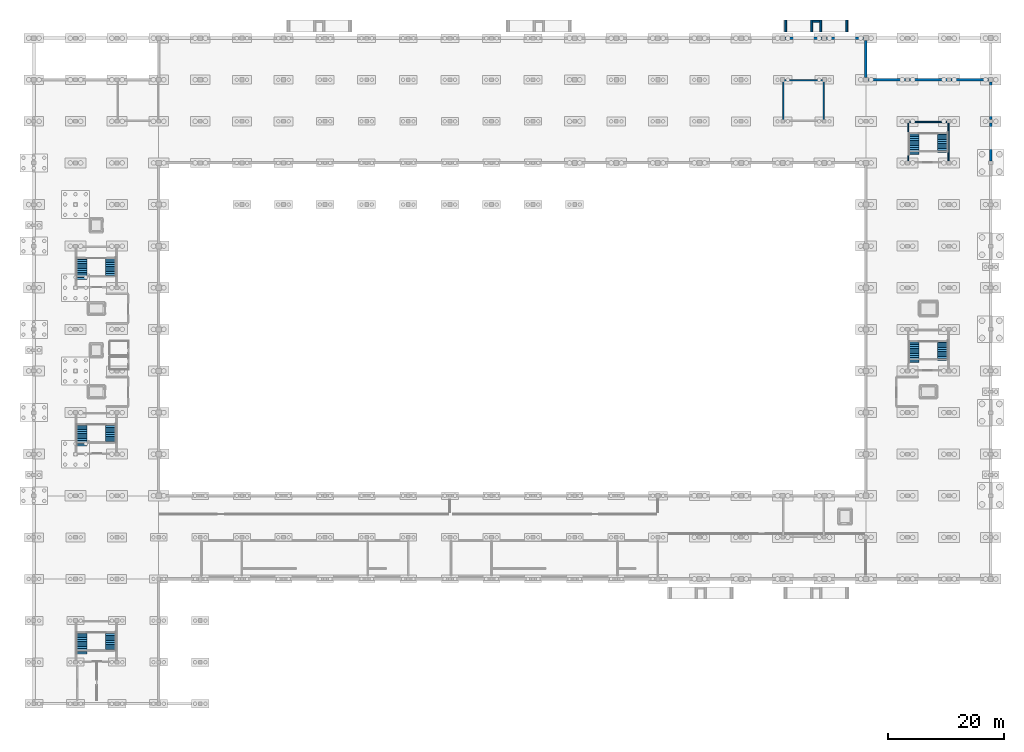
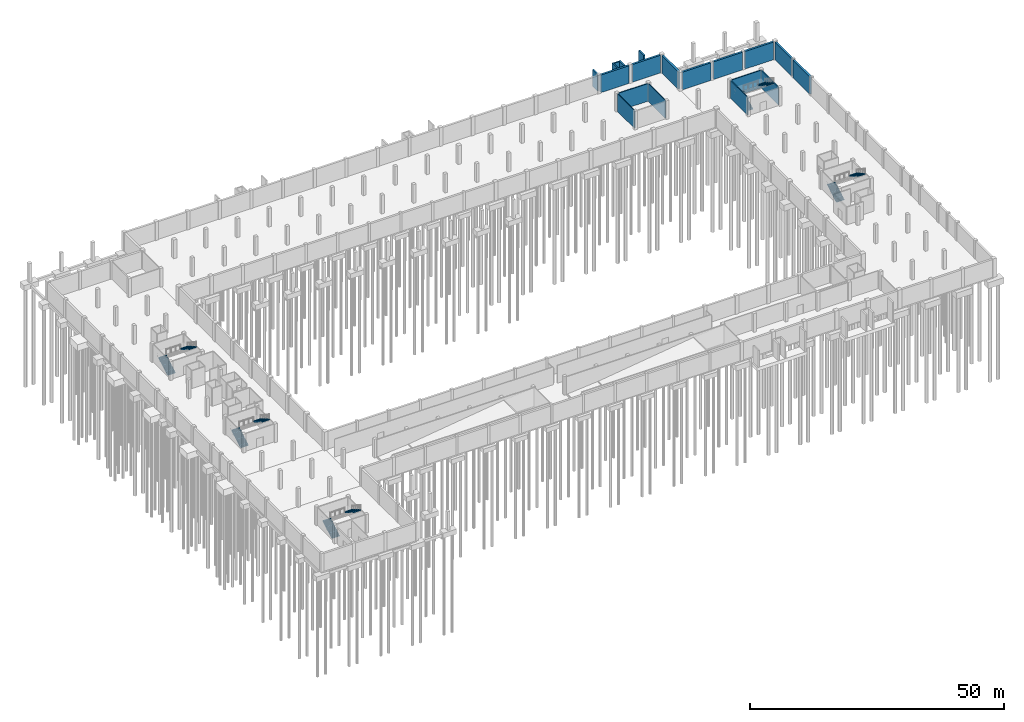
# One storey, part 15 of 18: 19 walls, 10 stair flights, 5 elements without a shape of their own.
"""IFC4 building model written with IfcOpenShell, lengths in metres."""

from ifc_helpers import new_model, si_unit, direction, frame, frame_2d, origin, place, context, subcontext, project, spatial, polyline, rectangle, outline, extrude, material, layer, layer_set, type_object, element, aggregate, save


model = new_model("IFC4")

# Units and contexts
model_context = context("Model", 3, precision=1e-05, world=origin(), true_north=direction((0.0, 1.0)))
body_context = subcontext(model_context, "Body", "Model", "MODEL_VIEW")
ifc_project = project(units=[si_unit("LENGTHUNIT", "METRE"), si_unit("AREAUNIT", "SQUARE_METRE"), si_unit("VOLUMEUNIT", "CUBIC_METRE"), si_unit("PLANEANGLEUNIT", "RADIAN"), si_unit("MASSUNIT", "GRAM", prefix="KILO")], contexts=[model_context])

# Site, building, storey
site_placement = place(None, origin())
site = spatial("IfcSite", under=ifc_project, at=site_placement, CompositionType="ELEMENT")
building_placement = place(site_placement, origin())
building = spatial("IfcBuilding", under=site, at=building_placement, Name="Kangsadwip Square Police Headquarters", CompositionType="ELEMENT")
storey_placement = place(building_placement, frame((0.0, 0.0, -4.5)))
storey = spatial("IfcBuildingStorey", under=building, at=storey_placement, Name="B1", CompositionType="ELEMENT", Elevation=-4.5)

# Walls
ifc_material_1 = material(Name="Concrete M40 (40 MPa)", Category="concrete")
ifc_layer_1 = layer(ifc_material_1, 0.449951171875)
ifc_layer_set_1 = layer_set([ifc_layer_1], Name="Concrete M40 (40 MPa)")
wall_type_1 = type_object("IfcWallType", Name="BasementRetainingWall450", PredefinedType="USERDEFINED", material=ifc_layer_set_1)
wall_1_placement = place(storey_placement, frame((144.419921875, 108.0, 0.0), z_axis=(0.0, 0.0, 1.0), x_axis=(1.0, 0.0, 0.0)))
element("IfcWall", 1, at=wall_1_placement, inside=storey, type_object=wall_type_1, Name="Exterior Wall WE-B1-061", ObjectType="RETAININGWALL", PredefinedType="USERDEFINED", context=body_context, shape_type="SweptSolid", body=[
    extrude(rectangle(XDim=6.4599609375, YDim=0.449951171875, at=frame_2d((3.22998046875, 0.0))), origin(), (0.0, 0.0, 1.0), 4.25),
])
wall_2_placement = place(storey_placement, frame((151.52001953125, 108.0, 0.0), z_axis=(0.0, 0.0, 1.0), x_axis=(1.0, 0.0, 0.0)))
element("IfcWall", 2, at=wall_2_placement, inside=storey, type_object=wall_type_1, Name="Exterior Wall WE-B1-062", ObjectType="RETAININGWALL", PredefinedType="USERDEFINED", context=body_context, shape_type="SweptSolid", body=[
    extrude(rectangle(XDim=6.56005859375, YDim=0.449951171875, at=frame_2d((3.280029296875, 0.0))), origin(), (0.0, 0.0, 1.0), 4.25),
])
wall_3_placement = place(storey_placement, frame((158.719970703125, 108.0, 0.0), z_axis=(0.0, 0.0, 1.0), x_axis=(1.0, 0.0, 0.0)))
element("IfcWall", 3, at=wall_3_placement, inside=storey, type_object=wall_type_1, Name="Exterior Wall WE-B1-063", ObjectType="RETAININGWALL", PredefinedType="USERDEFINED", context=body_context, shape_type="SweptSolid", body=[
    extrude(rectangle(XDim=6.4599609375, YDim=0.449951171875, at=frame_2d((3.22998046875, 0.0))), origin(), (0.0, 0.0, 1.0), 4.25),
])
wall_4_placement = place(storey_placement, frame((129.9951171875, 115.199951171875, 0.0), z_axis=(0.0, 0.0, 1.0), x_axis=(1.0, 0.0, 0.0)))
element("IfcWall", 4, at=wall_4_placement, inside=storey, type_object=wall_type_1, Name="Exterior Wall WE-B1-079", ObjectType="RETAININGWALL", PredefinedType="USERDEFINED", context=body_context, shape_type="SweptSolid", body=[
    extrude(rectangle(XDim=6.409912109375, YDim=0.449951171875, at=frame_2d((3.205078125, 0.0))), origin(), (0.0, 0.0, 1.0), 4.25),
])
wall_5_placement = place(storey_placement, frame((137.195068359375, 115.199951171875, 0.0), z_axis=(0.0, 0.0, 1.0), x_axis=(1.0, 0.0, 0.0)))
element("IfcWall", 5, at=wall_5_placement, inside=storey, type_object=wall_type_1, Name="Exterior Wall WE-B1-080", ObjectType="RETAININGWALL", PredefinedType="USERDEFINED", context=body_context, shape_type="SweptSolid", body=[
    extrude(rectangle(XDim=6.385009765625, YDim=0.449951171875, at=frame_2d((3.1923828125, 0.0))), origin(), (0.0, 0.0, 1.0), 4.25),
])
wall_6_placement = place(storey_placement, frame((144.0, 108.419921875, 0.0), z_axis=(0.0, 0.0, 1.0), x_axis=(0.0, 1.0, 0.0)))
element("IfcWall", 6, at=wall_6_placement, inside=storey, type_object=wall_type_1, Name="Exterior Wall WE-B1-116", ObjectType="RETAININGWALL", PredefinedType="USERDEFINED", context=body_context, shape_type="SweptSolid", body=[
    extrude(rectangle(XDim=6.360107421875, YDim=0.449951171875, at=frame_2d((3.18017578125, 0.0))), origin(), (0.0, 0.0, 1.0), 4.25),
])
wall_7_placement = place(storey_placement, frame((165.60009765625, 93.89501953125, 0.0), z_axis=(0.0, 0.0, 1.0), x_axis=(0.0, 1.0, 0.0)))
element("IfcWall", 7, at=wall_7_placement, inside=storey, type_object=wall_type_1, Name="Exterior Wall WE-B1-127", ObjectType="RETAININGWALL", PredefinedType="USERDEFINED", context=body_context, shape_type="SweptSolid", body=[
    extrude(rectangle(XDim=6.5849609375, YDim=0.449951171875, at=frame_2d((3.29248046875, 0.0))), origin(), (0.0, 0.0, 1.0), 4.25),
])
wall_8_placement = place(storey_placement, frame((165.60009765625, 101.1201171875, 0.0), z_axis=(0.0, 0.0, 1.0), x_axis=(0.0, 1.0, 0.0)))
element("IfcWall", 8, at=wall_8_placement, inside=storey, type_object=wall_type_1, Name="Exterior Wall WE-B1-128", ObjectType="RETAININGWALL", PredefinedType="USERDEFINED", context=body_context, shape_type="SweptSolid", body=[
    extrude(rectangle(XDim=6.4599609375, YDim=0.449951171875, at=frame_2d((3.22998046875, 0.0))), origin(), (0.0, 0.0, 1.0), 4.25),
])
ifc_material_2 = material(Name="Concrete M40 (40 MPa)", Category="concrete")
ifc_layer_2 = layer(ifc_material_2, 0.199951171875)
ifc_layer_set_2 = layer_set([ifc_layer_2], Name="Concrete M40 (40 MPa)")
wall_type_2 = type_object("IfcWallType", Name="CoreShearWall200", PredefinedType="SHEAR", material=ifc_layer_set_2)
for number, where, z_axis, x_axis, name in (
    (9, (151.39990234375, 100.699951171875, 0.0), (0.0, 0.0, 1.0), (1.0, 0.0, 0.0), "Interior Wall WI-B1-0126"),
    (10, (151.300048828125, 93.800048828125, 0.0), (0.0, 0.0, 1.0), (0.0, 1.0, 0.0), "Interior Wall WI-B1-0127"),
    (11, (158.300048828125, 93.800048828125, 0.0), (0.0, 0.0, 1.0), (0.0, 1.0, 0.0), "Interior Wall WI-B1-0128"),
    (12, (129.800048828125, 107.89990234375, 0.0), (0.0, 0.0, 1.0), (1.0, 0.0, 0.0), "Interior Wall WI-B1-0154"),
    (13, (129.699951171875, 101.0, 0.0), (0.0, 0.0, 1.0), (0.0, 1.0, 0.0), "Interior Wall WI-B1-0155"),
    (14, (136.699951171875, 101.0, 0.0), (0.0, 0.0, 1.0), (0.0, 1.0, 0.0), "Interior Wall WI-B1-0156"),
):
    element("IfcWall", number, at=place(storey_placement, frame(where, z_axis=z_axis, x_axis=x_axis)), inside=storey, type_object=wall_type_2, Name=name, PredefinedType="SHEAR", context=body_context, shape_type="SweptSolid", body=[
        extrude(rectangle(XDim=6.800048828125, YDim=0.199951171875, at=frame_2d((3.39990234375, 0.0))), origin(), (0.0, 0.0, 1.0), 4.25),
    ])
ifc_material_3 = material(Name="Concrete M35 (35 MPa)", Category="concrete")
ifc_layer_3 = layer(ifc_material_3, 0.300048828125)
ifc_layer_set_3 = layer_set([ifc_layer_3], Name="Concrete M35 (35 MPa)")
wall_type_3 = type_object("IfcWallType", Name="RampSupportWall300", PredefinedType="SHEAR", material=ifc_layer_set_3)
wall_9_placement = place(storey_placement, frame((130.1201171875, 116.300048828125, -0.449951171875), z_axis=(0.0, 0.0, 1.0), x_axis=(0.0, 1.0, 0.0)))
element("IfcWall", 15, at=wall_9_placement, inside=storey, type_object=wall_type_3, Name="Accessible Ramp Support Wall WR-AR-05-1", PredefinedType="SHEAR", context=body_context, shape_type="SweptSolid", body=[
    extrude(rectangle(XDim=2.0, YDim=0.300048828125, at=frame_2d((1.0, 0.0))), origin(), (0.0, 0.0, 1.0), 4.030029296875),
])
for number, where, z_axis, x_axis, name in (
    (16, (134.6201171875, 116.300048828125, -0.449951171875), (0.0, 0.0, 1.0), (0.0, 1.0, 0.0), "Accessible Ramp Support Wall WR-AR-05-2"),
    (17, (136.179931640625, 116.300048828125, -0.449951171875), (0.0, 0.0, 1.0), (0.0, 1.0, 0.0), "Accessible Ramp Support Wall WR-AR-05-3"),
):
    element("IfcWall", number, at=place(storey_placement, frame(where, z_axis=z_axis, x_axis=x_axis)), inside=storey, type_object=wall_type_3, Name=name, PredefinedType="SHEAR", context=body_context, shape_type="SweptSolid", body=[
        extrude(rectangle(XDim=2.0, YDim=0.300048828125, at=frame_2d((1.0, 0.0))), origin(), (0.0, 0.0, 1.0), 4.050048828125),
    ])
wall_10_placement = place(storey_placement, frame((134.800048828125, 118.1201171875, -0.449951171875), z_axis=(0.0, 0.0, 1.0), x_axis=(1.0, 0.0, 0.0)))
element("IfcWall", 18, at=wall_10_placement, inside=storey, type_object=wall_type_3, Name="Accessible Ramp Support Wall WR-AR-05-4", PredefinedType="SHEAR", context=body_context, shape_type="SweptSolid", body=[
    extrude(rectangle(XDim=1.199951171875, YDim=0.300048828125, at=frame_2d((0.60009765625, 0.0))), origin(), (0.0, 0.0, 1.0), 4.050048828125),
])
wall_11_placement = place(storey_placement, frame((140.679931640625, 116.300048828125, -0.449951171875), z_axis=(0.0, 0.0, 1.0), x_axis=(0.0, 1.0, 0.0)))
element("IfcWall", 19, at=wall_11_placement, inside=storey, type_object=wall_type_3, Name="Accessible Ramp Support Wall WR-AR-05-5", PredefinedType="SHEAR", context=body_context, shape_type="SweptSolid", body=[
    extrude(rectangle(XDim=2.0, YDim=0.300048828125, at=frame_2d((1.0, 0.0))), origin(), (0.0, 0.0, 1.0), 4.929931640625),
])

# Stair, stair flight
ifc_material_4 = material(Name="Concrete M35 (35 MPa)", Category="concrete")
stair_type = type_object("IfcStairType", Name="Stair2FlightB1W1800", PredefinedType="HALF_TURN_STAIR", material=ifc_material_4)
stair_1_placement = place(storey_placement, origin())
stair_1 = element("IfcStair", 20, at=stair_1_placement, inside=storey, type_object=stair_type, Name="Protected Stair ST-01 B1", PredefinedType="HALF_TURN_STAIR")
ifc_material_5 = material(Name="Concrete M35 (35 MPa)", Category="concrete")
stair_flight_type_1 = type_object("IfcStairFlightType", Name="Flight12RB1W1800", PredefinedType="STRAIGHT", material=ifc_material_5)
stair_flight_1_placement = place(storey_placement, frame((13.320068359375, 48.4599609375, 2.340087890625), z_axis=(0.0, 0.0, 1.0), x_axis=(0.0, -1.0, 0.0)))
stair_flight_1 = element("IfcStairFlight", 21, at=stair_flight_1_placement, type_object=stair_flight_type_1, Name="ST-01 flight 2", NumberOfRisers=12, NumberOfTreads=11, PredefinedType="STRAIGHT", RiserHeight=0.18, TreadLength=0.31, context=body_context, shape_type="SweptSolid", body=[
    extrude(outline(polyline([(0.0, 0.0), (0.0, 0.179931640625), (0.31005859375, 0.179931640625), (0.31005859375, 0.360107421875), (0.6201171875, 0.360107421875), (0.6201171875, 0.5400390625), (0.929931640625, 0.5400390625), (0.929931640625, 0.719970703125), (1.239990234375, 0.719970703125), (1.239990234375, 0.89990234375), (1.550048828125, 0.89990234375), (1.550048828125, 1.080078125), (1.860107421875, 1.080078125), (1.860107421875, 1.260009765625), (2.169921875, 1.260009765625), (2.169921875, 1.43994140625), (2.47998046875, 1.43994140625), (2.47998046875, 1.6201171875), (2.7900390625, 1.6201171875), (2.7900390625, 1.800048828125), (3.10009765625, 1.800048828125), (3.10009765625, 1.97998046875), (3.409912109375, 1.97998046875), (3.409912109375, 2.159912109375), (3.409912109375, 1.795166015625), (0.318359375, 0.0), (0.0, 0.0)])), frame((0.0, 0.89990234375, 0.0), z_axis=(0.0, -1.0, 0.0), x_axis=(1.0, 0.0, 0.0)), (0.0, 0.0, 1.0), 1.800048828125),
])

stair_2_placement = place(storey_placement, origin())
stair_2 = element("IfcStair", 22, at=stair_2_placement, inside=storey, type_object=stair_type, Name="Protected Stair ST-02 B1", PredefinedType="HALF_TURN_STAIR")
stair_flight_2_placement = place(storey_placement, frame((13.320068359375, 77.260009765625, 2.340087890625), z_axis=(0.0, 0.0, 1.0), x_axis=(0.0, -1.0, 0.0)))
stair_flight_2 = element("IfcStairFlight", 23, at=stair_flight_2_placement, type_object=stair_flight_type_1, Name="ST-02 flight 2", NumberOfRisers=12, NumberOfTreads=11, PredefinedType="STRAIGHT", RiserHeight=0.18, TreadLength=0.31, context=body_context, shape_type="SweptSolid", body=[
    extrude(outline(polyline([(0.0, 0.0), (0.0, 0.179931640625), (0.31005859375, 0.179931640625), (0.31005859375, 0.360107421875), (0.6201171875, 0.360107421875), (0.6201171875, 0.5400390625), (0.929931640625, 0.5400390625), (0.929931640625, 0.719970703125), (1.239990234375, 0.719970703125), (1.239990234375, 0.89990234375), (1.550048828125, 0.89990234375), (1.550048828125, 1.080078125), (1.860107421875, 1.080078125), (1.860107421875, 1.260009765625), (2.169921875, 1.260009765625), (2.169921875, 1.43994140625), (2.47998046875, 1.43994140625), (2.47998046875, 1.6201171875), (2.7900390625, 1.6201171875), (2.7900390625, 1.800048828125), (3.10009765625, 1.800048828125), (3.10009765625, 1.97998046875), (3.409912109375, 1.97998046875), (3.409912109375, 2.159912109375), (3.409912109375, 1.795166015625), (0.318359375, 0.0), (0.0, 0.0)])), frame((0.0, 0.89990234375, 0.0), z_axis=(0.0, -1.0, 0.0), x_axis=(1.0, 0.0, 0.0)), (0.0, 0.0, 1.0), 1.800048828125),
])

stair_3_placement = place(storey_placement, origin())
stair_3 = element("IfcStair", 24, at=stair_3_placement, inside=storey, type_object=stair_type, Name="Protected Stair ST-03 B1", PredefinedType="HALF_TURN_STAIR")
stair_flight_3_placement = place(storey_placement, frame((157.320068359375, 62.860107421875, 2.340087890625), z_axis=(0.0, 0.0, 1.0), x_axis=(0.0, -1.0, 0.0)))
stair_flight_3 = element("IfcStairFlight", 25, at=stair_flight_3_placement, type_object=stair_flight_type_1, Name="ST-03 flight 2", NumberOfRisers=12, NumberOfTreads=11, PredefinedType="STRAIGHT", RiserHeight=0.18, TreadLength=0.31, context=body_context, shape_type="SweptSolid", body=[
    extrude(outline(polyline([(0.0, 0.0), (0.0, 0.179931640625), (0.31005859375, 0.179931640625), (0.31005859375, 0.360107421875), (0.6201171875, 0.360107421875), (0.6201171875, 0.5400390625), (0.929931640625, 0.5400390625), (0.929931640625, 0.719970703125), (1.239990234375, 0.719970703125), (1.239990234375, 0.89990234375), (1.550048828125, 0.89990234375), (1.550048828125, 1.080078125), (1.860107421875, 1.080078125), (1.860107421875, 1.260009765625), (2.169921875, 1.260009765625), (2.169921875, 1.43994140625), (2.47998046875, 1.43994140625), (2.47998046875, 1.6201171875), (2.7900390625, 1.6201171875), (2.7900390625, 1.800048828125), (3.10009765625, 1.800048828125), (3.10009765625, 1.97998046875), (3.409912109375, 1.97998046875), (3.409912109375, 2.159912109375), (3.409912109375, 1.795166015625), (0.318359375, 0.0), (0.0, 0.0)])), frame((0.0, 0.89990234375, 0.0), z_axis=(0.0, -1.0, 0.0), x_axis=(1.0, 0.0, 0.0)), (0.0, 0.0, 1.0), 1.800048828125),
])

stair_4_placement = place(storey_placement, origin())
stair_4 = element("IfcStair", 26, at=stair_4_placement, inside=storey, type_object=stair_type, Name="Protected Stair ST-04 B1", PredefinedType="HALF_TURN_STAIR")
stair_flight_4_placement = place(storey_placement, frame((157.320068359375, 98.860107421875, 2.340087890625), z_axis=(0.0, 0.0, 1.0), x_axis=(0.0, -1.0, 0.0)))
stair_flight_4 = element("IfcStairFlight", 27, at=stair_flight_4_placement, type_object=stair_flight_type_1, Name="ST-04 flight 2", NumberOfRisers=12, NumberOfTreads=11, PredefinedType="STRAIGHT", RiserHeight=0.18, TreadLength=0.31, context=body_context, shape_type="SweptSolid", body=[
    extrude(outline(polyline([(0.0, 0.0), (0.0, 0.179931640625), (0.31005859375, 0.179931640625), (0.31005859375, 0.360107421875), (0.6201171875, 0.360107421875), (0.6201171875, 0.5400390625), (0.929931640625, 0.5400390625), (0.929931640625, 0.719970703125), (1.239990234375, 0.719970703125), (1.239990234375, 0.89990234375), (1.550048828125, 0.89990234375), (1.550048828125, 1.080078125), (1.860107421875, 1.080078125), (1.860107421875, 1.260009765625), (2.169921875, 1.260009765625), (2.169921875, 1.43994140625), (2.47998046875, 1.43994140625), (2.47998046875, 1.6201171875), (2.7900390625, 1.6201171875), (2.7900390625, 1.800048828125), (3.10009765625, 1.800048828125), (3.10009765625, 1.97998046875), (3.409912109375, 1.97998046875), (3.409912109375, 2.159912109375), (3.409912109375, 1.795166015625), (0.318359375, 0.0), (0.0, 0.0)])), frame((0.0, 0.89990234375, 0.0), z_axis=(0.0, -1.0, 0.0), x_axis=(1.0, 0.0, 0.0)), (0.0, 0.0, 1.0), 1.800048828125),
])

stair_5_placement = place(storey_placement, origin())
stair_5 = element("IfcStair", 28, at=stair_5_placement, inside=storey, type_object=stair_type, Name="Protected Stair ST-08 B1", PredefinedType="HALF_TURN_STAIR")
stair_flight_5_placement = place(storey_placement, frame((13.320068359375, 12.4599609375, 2.340087890625), z_axis=(0.0, 0.0, 1.0), x_axis=(0.0, -1.0, 0.0)))
stair_flight_5 = element("IfcStairFlight", 29, at=stair_flight_5_placement, type_object=stair_flight_type_1, Name="ST-08 flight 2", NumberOfRisers=12, NumberOfTreads=11, PredefinedType="STRAIGHT", RiserHeight=0.18, TreadLength=0.31, context=body_context, shape_type="SweptSolid", body=[
    extrude(outline(polyline([(0.0, 0.0), (0.0, 0.179931640625), (0.31005859375, 0.179931640625), (0.31005859375, 0.360107421875), (0.6201171875, 0.360107421875), (0.6201171875, 0.5400390625), (0.929931640625, 0.5400390625), (0.929931640625, 0.719970703125), (1.239990234375, 0.719970703125), (1.239990234375, 0.89990234375), (1.550048828125, 0.89990234375), (1.550048828125, 1.080078125), (1.860107421875, 1.080078125), (1.860107421875, 1.260009765625), (2.169921875, 1.260009765625), (2.169921875, 1.43994140625), (2.47998046875, 1.43994140625), (2.47998046875, 1.6201171875), (2.7900390625, 1.6201171875), (2.7900390625, 1.800048828125), (3.10009765625, 1.800048828125), (3.10009765625, 1.97998046875), (3.409912109375, 1.97998046875), (3.409912109375, 2.159912109375), (3.409912109375, 1.795166015625), (0.318359375, 0.0), (0.0, 0.0)])), frame((0.0, 0.89990234375, 0.0), z_axis=(0.0, -1.0, 0.0), x_axis=(1.0, 0.0, 0.0)), (0.0, 0.0, 1.0), 1.800048828125),
])

# Stair flight
ifc_material_6 = material(Name="Concrete M35 (35 MPa)", Category="concrete")
stair_flight_type_2 = type_object("IfcStairFlightType", Name="Flight13RB1W1800", PredefinedType="STRAIGHT", material=ifc_material_6)
stair_flight_6_placement = place(storey_placement, frame((8.280029296875, 44.639892578125, 0.0), z_axis=(0.0, 0.0, 1.0), x_axis=(0.0, 1.0, 0.0)))
stair_flight_6 = element("IfcStairFlight", 30, at=stair_flight_6_placement, type_object=stair_flight_type_2, Name="ST-01 flight 1", NumberOfRisers=13, NumberOfTreads=12, PredefinedType="STRAIGHT", RiserHeight=0.18, TreadLength=0.31, context=body_context, shape_type="SweptSolid", body=[
    extrude(outline(polyline([(0.0, 0.0), (0.0, 0.179931640625), (0.31005859375, 0.179931640625), (0.31005859375, 0.360107421875), (0.6201171875, 0.360107421875), (0.6201171875, 0.5400390625), (0.929931640625, 0.5400390625), (0.929931640625, 0.719970703125), (1.239990234375, 0.719970703125), (1.239990234375, 0.89990234375), (1.550048828125, 0.89990234375), (1.550048828125, 1.080078125), (1.860107421875, 1.080078125), (1.860107421875, 1.260009765625), (2.169921875, 1.260009765625), (2.169921875, 1.43994140625), (2.47998046875, 1.43994140625), (2.47998046875, 1.6201171875), (2.7900390625, 1.6201171875), (2.7900390625, 1.800048828125), (3.10009765625, 1.800048828125), (3.10009765625, 1.97998046875), (3.409912109375, 1.97998046875), (3.409912109375, 2.159912109375), (3.719970703125, 2.159912109375), (3.719970703125, 2.340087890625), (3.719970703125, 1.97509765625), (0.318359375, 0.0), (0.0, 0.0)])), frame((0.0, 0.89990234375, 0.0), z_axis=(0.0, -1.0, 0.0), x_axis=(1.0, 0.0, 0.0)), (0.0, 0.0, 1.0), 1.800048828125),
])

aggregate(stair_1, [stair_flight_6, stair_flight_1])

stair_flight_7_placement = place(storey_placement, frame((8.280029296875, 73.43994140625, 0.0), z_axis=(0.0, 0.0, 1.0), x_axis=(0.0, 1.0, 0.0)))
stair_flight_7 = element("IfcStairFlight", 31, at=stair_flight_7_placement, type_object=stair_flight_type_2, Name="ST-02 flight 1", NumberOfRisers=13, NumberOfTreads=12, PredefinedType="STRAIGHT", RiserHeight=0.18, TreadLength=0.31, context=body_context, shape_type="SweptSolid", body=[
    extrude(outline(polyline([(0.0, 0.0), (0.0, 0.179931640625), (0.31005859375, 0.179931640625), (0.31005859375, 0.360107421875), (0.6201171875, 0.360107421875), (0.6201171875, 0.5400390625), (0.929931640625, 0.5400390625), (0.929931640625, 0.719970703125), (1.239990234375, 0.719970703125), (1.239990234375, 0.89990234375), (1.550048828125, 0.89990234375), (1.550048828125, 1.080078125), (1.860107421875, 1.080078125), (1.860107421875, 1.260009765625), (2.169921875, 1.260009765625), (2.169921875, 1.43994140625), (2.47998046875, 1.43994140625), (2.47998046875, 1.6201171875), (2.7900390625, 1.6201171875), (2.7900390625, 1.800048828125), (3.10009765625, 1.800048828125), (3.10009765625, 1.97998046875), (3.409912109375, 1.97998046875), (3.409912109375, 2.159912109375), (3.719970703125, 2.159912109375), (3.719970703125, 2.340087890625), (3.719970703125, 1.97509765625), (0.318359375, 0.0), (0.0, 0.0)])), frame((0.0, 0.89990234375, 0.0), z_axis=(0.0, -1.0, 0.0), x_axis=(1.0, 0.0, 0.0)), (0.0, 0.0, 1.0), 1.800048828125),
])

aggregate(stair_2, [stair_flight_7, stair_flight_2])

stair_flight_8_placement = place(storey_placement, frame((152.280029296875, 59.0400390625, 0.0), z_axis=(0.0, 0.0, 1.0), x_axis=(0.0, 1.0, 0.0)))
stair_flight_8 = element("IfcStairFlight", 32, at=stair_flight_8_placement, type_object=stair_flight_type_2, Name="ST-03 flight 1", NumberOfRisers=13, NumberOfTreads=12, PredefinedType="STRAIGHT", RiserHeight=0.18, TreadLength=0.31, context=body_context, shape_type="SweptSolid", body=[
    extrude(outline(polyline([(0.0, 0.0), (0.0, 0.179931640625), (0.31005859375, 0.179931640625), (0.31005859375, 0.360107421875), (0.6201171875, 0.360107421875), (0.6201171875, 0.5400390625), (0.929931640625, 0.5400390625), (0.929931640625, 0.719970703125), (1.239990234375, 0.719970703125), (1.239990234375, 0.89990234375), (1.550048828125, 0.89990234375), (1.550048828125, 1.080078125), (1.860107421875, 1.080078125), (1.860107421875, 1.260009765625), (2.169921875, 1.260009765625), (2.169921875, 1.43994140625), (2.47998046875, 1.43994140625), (2.47998046875, 1.6201171875), (2.7900390625, 1.6201171875), (2.7900390625, 1.800048828125), (3.10009765625, 1.800048828125), (3.10009765625, 1.97998046875), (3.409912109375, 1.97998046875), (3.409912109375, 2.159912109375), (3.719970703125, 2.159912109375), (3.719970703125, 2.340087890625), (3.719970703125, 1.97509765625), (0.318359375, 0.0), (0.0, 0.0)])), frame((0.0, 0.89990234375, 0.0), z_axis=(0.0, -1.0, 0.0), x_axis=(1.0, 0.0, 0.0)), (0.0, 0.0, 1.0), 1.800048828125),
])

aggregate(stair_3, [stair_flight_8, stair_flight_3])

stair_flight_9_placement = place(storey_placement, frame((152.280029296875, 95.0400390625, 0.0), z_axis=(0.0, 0.0, 1.0), x_axis=(0.0, 1.0, 0.0)))
stair_flight_9 = element("IfcStairFlight", 33, at=stair_flight_9_placement, type_object=stair_flight_type_2, Name="ST-04 flight 1", NumberOfRisers=13, NumberOfTreads=12, PredefinedType="STRAIGHT", RiserHeight=0.18, TreadLength=0.31, context=body_context, shape_type="SweptSolid", body=[
    extrude(outline(polyline([(0.0, 0.0), (0.0, 0.179931640625), (0.31005859375, 0.179931640625), (0.31005859375, 0.360107421875), (0.6201171875, 0.360107421875), (0.6201171875, 0.5400390625), (0.929931640625, 0.5400390625), (0.929931640625, 0.719970703125), (1.239990234375, 0.719970703125), (1.239990234375, 0.89990234375), (1.550048828125, 0.89990234375), (1.550048828125, 1.080078125), (1.860107421875, 1.080078125), (1.860107421875, 1.260009765625), (2.169921875, 1.260009765625), (2.169921875, 1.43994140625), (2.47998046875, 1.43994140625), (2.47998046875, 1.6201171875), (2.7900390625, 1.6201171875), (2.7900390625, 1.800048828125), (3.10009765625, 1.800048828125), (3.10009765625, 1.97998046875), (3.409912109375, 1.97998046875), (3.409912109375, 2.159912109375), (3.719970703125, 2.159912109375), (3.719970703125, 2.340087890625), (3.719970703125, 1.97509765625), (0.318359375, 0.0), (0.0, 0.0)])), frame((0.0, 0.89990234375, 0.0), z_axis=(0.0, -1.0, 0.0), x_axis=(1.0, 0.0, 0.0)), (0.0, 0.0, 1.0), 1.800048828125),
])

aggregate(stair_4, [stair_flight_9, stair_flight_4])

stair_flight_10_placement = place(storey_placement, frame((8.280029296875, 8.639892578125, 0.0), z_axis=(0.0, 0.0, 1.0), x_axis=(0.0, 1.0, 0.0)))
stair_flight_10 = element("IfcStairFlight", 34, at=stair_flight_10_placement, type_object=stair_flight_type_2, Name="ST-08 flight 1", NumberOfRisers=13, NumberOfTreads=12, PredefinedType="STRAIGHT", RiserHeight=0.18, TreadLength=0.31, context=body_context, shape_type="SweptSolid", body=[
    extrude(outline(polyline([(0.0, 0.0), (0.0, 0.179931640625), (0.31005859375, 0.179931640625), (0.31005859375, 0.360107421875), (0.6201171875, 0.360107421875), (0.6201171875, 0.5400390625), (0.929931640625, 0.5400390625), (0.929931640625, 0.719970703125), (1.239990234375, 0.719970703125), (1.239990234375, 0.89990234375), (1.550048828125, 0.89990234375), (1.550048828125, 1.080078125), (1.860107421875, 1.080078125), (1.860107421875, 1.260009765625), (2.169921875, 1.260009765625), (2.169921875, 1.43994140625), (2.47998046875, 1.43994140625), (2.47998046875, 1.6201171875), (2.7900390625, 1.6201171875), (2.7900390625, 1.800048828125), (3.10009765625, 1.800048828125), (3.10009765625, 1.97998046875), (3.409912109375, 1.97998046875), (3.409912109375, 2.159912109375), (3.719970703125, 2.159912109375), (3.719970703125, 2.340087890625), (3.719970703125, 1.97509765625), (0.318359375, 0.0), (0.0, 0.0)])), frame((0.0, 0.89990234375, 0.0), z_axis=(0.0, -1.0, 0.0), x_axis=(1.0, 0.0, 0.0)), (0.0, 0.0, 1.0), 1.800048828125),
])

aggregate(stair_5, [stair_flight_10, stair_flight_5])

save(model, "model.ifc")
